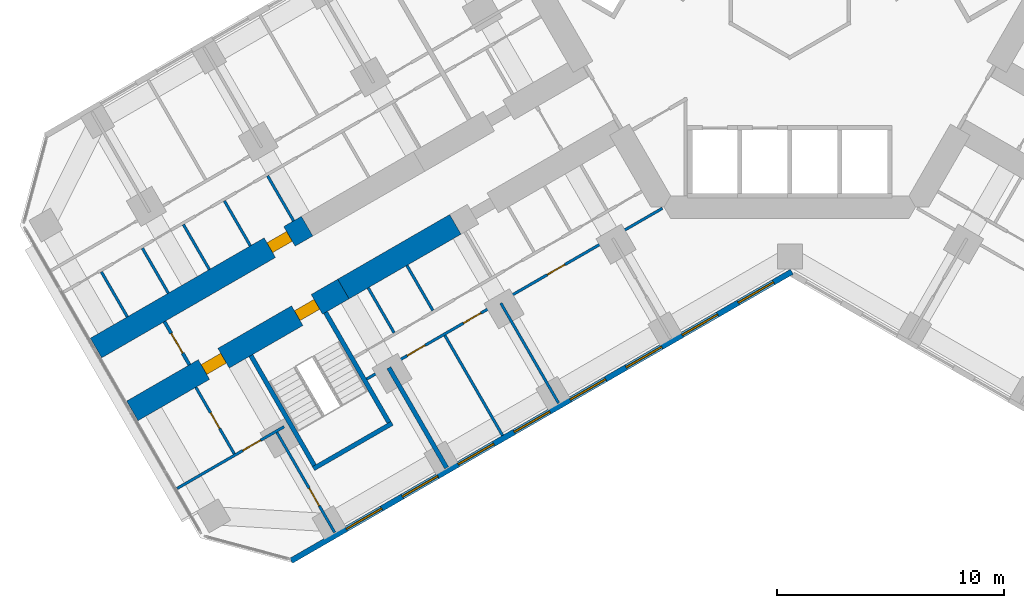
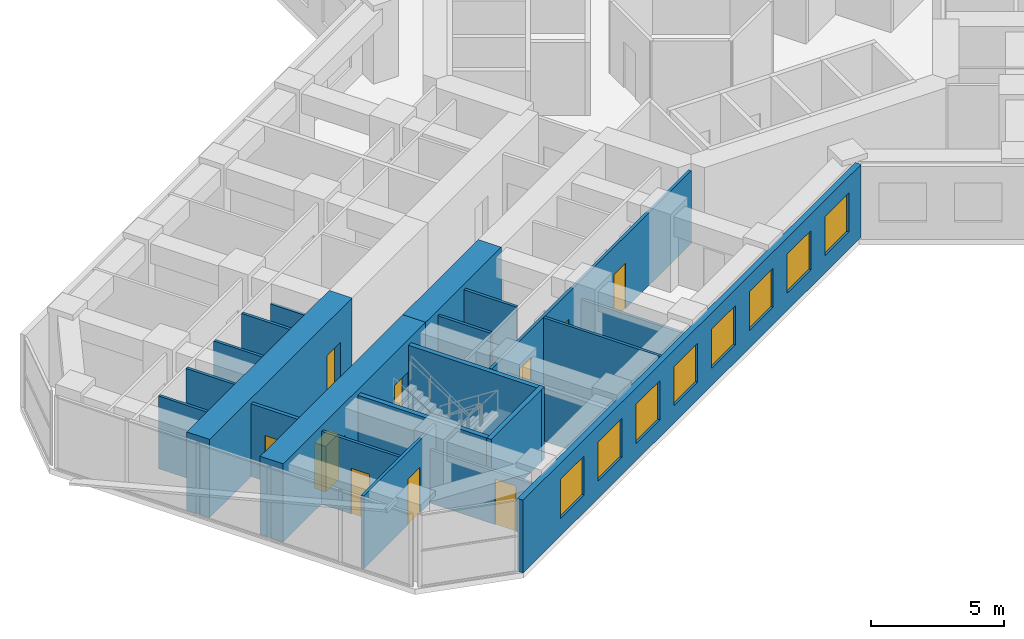
# One storey, part 10 of 21: 22 walls, 10 doors, 8 windows, 18 openings.
"""IFC4 building model written with IfcOpenShell, lengths in metres."""

from ifc_helpers import new_model, si_unit, direction, frame, frame_2d, origin, place, context, subcontext, project, spatial, rectangle, extrude, material, layer, layer_set, type_object, element, fill, save


model = new_model("IFC4")

# Units and contexts
model_context = context("Model", 3, precision=1e-05, world=origin(), true_north=direction((0.0, 1.0)))
body_context = subcontext(model_context, "Body", "Model", "MODEL_VIEW")
ifc_project = project(units=[si_unit("LENGTHUNIT", "METRE"), si_unit("AREAUNIT", "SQUARE_METRE"), si_unit("VOLUMEUNIT", "CUBIC_METRE"), si_unit("PLANEANGLEUNIT", "RADIAN"), si_unit("MASSUNIT", "GRAM", prefix="KILO")], contexts=[model_context])

# Site, building, storey
site_placement = place(None, origin())
site = spatial("IfcSite", under=ifc_project, at=site_placement, CompositionType="ELEMENT")
building_placement = place(site_placement, origin())
building = spatial("IfcBuilding", under=site, at=building_placement, Name="Kosmar Iwan School Tower", CompositionType="ELEMENT")
storey_placement = place(building_placement, frame((0.0, 0.0, 39.39990234375)))
storey = spatial("IfcBuildingStorey", under=building, at=storey_placement, Name="L08", CompositionType="ELEMENT", Elevation=39.39990234375)

# Wall
ifc_material_1 = material(Name="Concrete C50/60", Category="concrete")
ifc_layer_1 = layer(ifc_material_1, 1.0)
ifc_layer_set_1 = layer_set([ifc_layer_1], Name="Corridor buttress wall 1000")
wall_type_1 = type_object("IfcWallType", Name="Corridor buttress wall 1000", PredefinedType="SHEAR", material=ifc_layer_set_1)
wall_1_placement = place(storey_placement, frame((-14.7451171875, -10.360595703125, 0.0), z_axis=(0.0, 0.0, 1.0), x_axis=(-0.866015111908, -0.50001782563, 0.0)))
element("IfcWall", 1, at=wall_1_placement, inside=storey, type_object=wall_type_1, Name="Corridor wall BL bay 2", PredefinedType="SHEAR", context=body_context, shape_type="SweptSolid", body=[
    extrude(rectangle(XDim=5.699951171875, YDim=1.0, at=frame_2d((2.85009765625, 0.0))), origin(), (0.0, 0.0, 1.0), 3.60009765625),
])

# Wall, openings, doors
wall_2_placement = place(storey_placement, frame((-19.681396484375, -13.210693359375, 0.0), z_axis=(0.0, 0.0, 1.0), x_axis=(-0.866028186671, -0.499995179869, 0.0)))
wall_2 = element("IfcWall", 2, at=wall_2_placement, inside=storey, type_object=wall_type_1, Name="Corridor wall BL bay 3", PredefinedType="SHEAR", context=body_context, shape_type="SweptSolid", body=[
    extrude(rectangle(XDim=10.7451171875, YDim=1.0, at=frame_2d((5.37255859375, 0.0))), origin(), (0.0, 0.0, 1.0), 3.60009765625),
])
opening_1_placement = place(wall_2_placement, frame((6.10009765625, 0.0, 0.0)))
opening_1 = element("IfcOpeningElement", 3, at=opening_1_placement, cuts=wall_2, Name="Opening D1", PredefinedType="OPENING", context=body_context, shape_type="SweptSolid", body=[
    extrude(rectangle(XDim=1.0, YDim=2.10009765625, at=frame_2d((0.5, 1.050048828125))), frame((0.0, 0.511962890625, 0.0), z_axis=(0.0, -1.0, 0.0), x_axis=(1.0, 0.0, 0.0)), (0.0, 0.0, 1.0), 1.02392578125),
])
opening_2_placement = place(wall_2_placement, frame((1.35009765625, 0.0, 0.0)))
opening_2 = element("IfcOpeningElement", 4, at=opening_2_placement, cuts=wall_2, Name="Opening D6", PredefinedType="OPENING", context=body_context, shape_type="SweptSolid", body=[
    extrude(rectangle(XDim=1.0, YDim=2.10009765625, at=frame_2d((0.5, 1.050048828125))), frame((0.0, 0.511962890625, 0.0), z_axis=(0.0, -1.0, 0.0), x_axis=(1.0, 0.0, 0.0)), (0.0, 0.0, 1.0), 1.02392578125),
])
ifc_material_2 = material(Name="Timber fire door in steel frame", Category="steel")
door_type_1 = type_object("IfcDoorType", Name="Flat entrance door 1000x2100", OperationType="SINGLE_SWING_LEFT", PredefinedType="DOOR", material=ifc_material_2)
door_1_placement = place(opening_1_placement, origin())
door_1 = element("IfcDoor", 5, at=door_1_placement, inside=storey, type_object=door_type_1, Name="Flat L08-BL2 entrance door", OperationType="SINGLE_SWING_RIGHT", OverallHeight=2.10009765625, OverallWidth=1.0, PredefinedType="DOOR", context=body_context, shape_type="SweptSolid", body=[
    extrude(rectangle(XDim=1.0, YDim=2.10009765625, at=frame_2d((0.5, 1.050048828125))), frame((0.0, 0.25, 0.0), z_axis=(0.0, -1.0, 0.0), x_axis=(1.0, 0.0, 0.0)), (0.0, 0.0, 1.0), 0.5),
])
fill(opening_1, door_1)
ifc_material_3 = material(Name="Steel fire door", Category="steel")
door_type_2 = type_object("IfcDoorType", Name="Stair door 1000x2100", OperationType="SINGLE_SWING_LEFT", PredefinedType="DOOR", material=ifc_material_3)
door_2_placement = place(opening_2_placement, origin())
door_2 = element("IfcDoor", 6, at=door_2_placement, inside=storey, type_object=door_type_2, Name="Stair WS2 door L08", OperationType="SINGLE_SWING_LEFT", OverallHeight=2.10009765625, OverallWidth=1.0, PredefinedType="DOOR", context=body_context, shape_type="SweptSolid", body=[
    extrude(rectangle(XDim=1.0, YDim=2.10009765625, at=frame_2d((0.5, 1.050048828125))), frame((0.0, 0.25, 0.0), z_axis=(0.0, -1.0, 0.0), x_axis=(1.0, 0.0, 0.0)), (0.0, 0.0, 1.0), 0.5),
])
fill(opening_2, door_2)

# Wall, opening, door
wall_3_placement = place(storey_placement, frame((-21.281494140625, -10.439453125, 0.0), z_axis=(0.0, 0.0, 1.0), x_axis=(-0.866032345022, -0.499987977232, 0.0)))
wall_3 = element("IfcWall", 7, at=wall_3_placement, inside=storey, type_object=wall_type_1, Name="Corridor wall BR bay 3", PredefinedType="SHEAR", context=body_context, shape_type="SweptSolid", body=[
    extrude(rectangle(XDim=10.744873046875, YDim=1.0, at=frame_2d((5.37255859375, 0.0))), origin(), (0.0, 0.0, 1.0), 3.60009765625),
])
opening_3_placement = place(wall_3_placement, frame((0.89990234375, 0.0, 0.0)))
opening_3 = element("IfcOpeningElement", 8, at=opening_3_placement, cuts=wall_3, Name="Opening D1", PredefinedType="OPENING", context=body_context, shape_type="SweptSolid", body=[
    extrude(rectangle(XDim=1.0, YDim=2.10009765625, at=frame_2d((0.5, 1.050048828125))), frame((0.0, 0.511962890625, 0.0), z_axis=(0.0, -1.0, 0.0), x_axis=(1.0, 0.0, 0.0)), (0.0, 0.0, 1.0), 1.02392578125),
])
door_3_placement = place(opening_3_placement, origin())
door_3 = element("IfcDoor", 9, at=door_3_placement, inside=storey, type_object=door_type_1, Name="Flat L08-BR2 entrance door", OperationType="SINGLE_SWING_LEFT", OverallHeight=2.10009765625, OverallWidth=1.0, PredefinedType="DOOR", context=body_context, shape_type="SweptSolid", body=[
    extrude(rectangle(XDim=1.0, YDim=2.10009765625, at=frame_2d((0.5, 1.050048828125))), frame((0.0, 0.25, 0.0), z_axis=(0.0, -1.0, 0.0), x_axis=(1.0, 0.0, 0.0)), (0.0, 0.0, 1.0), 0.5),
])
fill(opening_3, door_3)

ifc_material_4 = material(Name="Gypsum board on steel studs, fire-rated", Category="steel")
ifc_layer_2 = layer(ifc_material_4, 0.14990234375)
ifc_layer_set_2 = layer_set([ifc_layer_2], Name="Corridor end wall 150")
wall_type_2 = type_object("IfcWallType", Name="Corridor end wall 150", PredefinedType="PARTITIONING", material=ifc_layer_set_2)
wall_4_placement = place(storey_placement, frame((-27.570068359375, -14.6474609375, 0.0), z_axis=(0.0, 0.0, 1.0), x_axis=(0.50002983664, -0.866008176907, 0.0)))
wall_4 = element("IfcWall", 10, at=wall_4_placement, inside=storey, type_object=wall_type_2, Name="Partition L08-B-CE", PredefinedType="PARTITIONING", context=body_context, shape_type="SweptSolid", body=[
    extrude(rectangle(XDim=2.199951171875, YDim=0.14990234375, at=frame_2d((1.10009765625, 0.0))), origin(), (0.0, 0.0, 1.0), 3.35009765625),
])
opening_4_placement = place(wall_4_placement, frame((0.60009765625, 0.0, 0.0)))
opening_4 = element("IfcOpeningElement", 11, at=opening_4_placement, cuts=wall_4, Name="Opening D13", PredefinedType="OPENING", context=body_context, shape_type="SweptSolid", body=[
    extrude(rectangle(XDim=1.0, YDim=2.10009765625, at=frame_2d((0.5, 1.050048828125))), frame((0.0, 0.0869140625, 0.0), z_axis=(0.0, -1.0, 0.0), x_axis=(1.0, 0.0, 0.0)), (0.0, 0.0, 1.0), 0.173828125),
])
ifc_material_5 = material(Name="Timber fire door with vision panel", Category="wood")
door_type_3 = type_object("IfcDoorType", Name="Corridor end door 1000x2100", OperationType="SINGLE_SWING_LEFT", PredefinedType="DOOR", material=ifc_material_5)
door_4_placement = place(opening_4_placement, origin())
door_4 = element("IfcDoor", 12, at=door_4_placement, inside=storey, type_object=door_type_3, Name="Children's play room door L08-B", OperationType="SINGLE_SWING_LEFT", OverallHeight=2.10009765625, OverallWidth=1.0, PredefinedType="DOOR", context=body_context, shape_type="SweptSolid", body=[
    extrude(rectangle(XDim=1.0, YDim=2.10009765625, at=frame_2d((0.5, 1.050048828125))), frame((0.0, 0.02490234375, 0.0), z_axis=(0.0, -1.0, 0.0), x_axis=(1.0, 0.0, 0.0)), (0.0, 0.0, 1.0), 0.050048828125),
])
fill(opening_4, door_4)

# Wall, openings, doors
ifc_material_6 = material(Name="Gypsum board on steel studs", Category="steel")
ifc_layer_3 = layer(ifc_material_6, 0.1201171875)
ifc_layer_set_3 = layer_set([ifc_layer_3], Name="Dwelling partition 120")
wall_type_3 = type_object("IfcWallType", Name="Dwelling partition 120", PredefinedType="PARTITIONING", material=ifc_layer_set_3)
wall_5_placement = place(storey_placement, frame((-5.61767578125, -9.65185546875, 0.0), z_axis=(0.0, 0.0, 1.0), x_axis=(-0.866024678464, -0.50000125629, 0.0)))
wall_5 = element("IfcWall", 13, at=wall_5_placement, inside=storey, type_object=wall_type_3, Name="Partition L08-BL1-W2", PredefinedType="PARTITIONING", context=body_context, shape_type="SweptSolid", body=[
    extrude(rectangle(XDim=15.05908203125, YDim=0.1201171875, at=frame_2d((7.529541015625, 0.0))), origin(), (0.0, 0.0, 1.0), 3.35009765625),
])
opening_5_placement = place(wall_5_placement, frame((4.958984375, 0.0, 0.0)))
opening_5 = element("IfcOpeningElement", 14, at=opening_5_placement, cuts=wall_5, Name="Opening D2", PredefinedType="OPENING", context=body_context, shape_type="SweptSolid", body=[
    extrude(rectangle(XDim=0.89990234375, YDim=2.10009765625, at=frame_2d((0.449951171875, 1.050048828125))), frame((0.0, 0.072021484375, 0.0), z_axis=(0.0, -1.0, 0.0), x_axis=(1.0, 0.0, 0.0)), (0.0, 0.0, 1.0), 0.14404296875),
])
opening_6_placement = place(wall_5_placement, frame((9.23388671875, 0.0, 0.0)))
opening_6 = element("IfcOpeningElement", 15, at=opening_6_placement, cuts=wall_5, Name="Opening D2", PredefinedType="OPENING", context=body_context, shape_type="SweptSolid", body=[
    extrude(rectangle(XDim=0.89990234375, YDim=2.10009765625, at=frame_2d((0.449951171875, 1.050048828125))), frame((0.0, 0.072021484375, 0.0), z_axis=(0.0, -1.0, 0.0), x_axis=(1.0, 0.0, 0.0)), (0.0, 0.0, 1.0), 0.14404296875),
])
opening_7_placement = place(wall_5_placement, frame((12.083984375, 0.0, 0.0)))
opening_7 = element("IfcOpeningElement", 16, at=opening_7_placement, cuts=wall_5, Name="Opening D2", PredefinedType="OPENING", context=body_context, shape_type="SweptSolid", body=[
    extrude(rectangle(XDim=0.89990234375, YDim=2.10009765625, at=frame_2d((0.449951171875, 1.050048828125))), frame((0.0, 0.072021484375, 0.0), z_axis=(0.0, -1.0, 0.0), x_axis=(1.0, 0.0, 0.0)), (0.0, 0.0, 1.0), 0.14404296875),
])
ifc_material_7 = material(Name="Timber door in timber frame", Category="wood")
door_type_4 = type_object("IfcDoorType", Name="Internal door 900x2100", OperationType="SINGLE_SWING_LEFT", PredefinedType="DOOR", material=ifc_material_7)
door_5_placement = place(opening_5_placement, origin())
door_5 = element("IfcDoor", 17, at=door_5_placement, inside=storey, type_object=door_type_4, Name="Living room door L08-BL1-F2", OperationType="SINGLE_SWING_LEFT", OverallHeight=2.10009765625, OverallWidth=0.89990234375, PredefinedType="DOOR", context=body_context, shape_type="SweptSolid", body=[
    extrude(rectangle(XDim=0.89990234375, YDim=2.10009765625, at=frame_2d((0.449951171875, 1.050048828125))), frame((0.0, 0.02490234375, 0.0), z_axis=(0.0, -1.0, 0.0), x_axis=(1.0, 0.0, 0.0)), (0.0, 0.0, 1.0), 0.050048828125),
])
fill(opening_5, door_5)
door_6_placement = place(opening_6_placement, origin())
door_6 = element("IfcDoor", 18, at=door_6_placement, inside=storey, type_object=door_type_4, Name="Bedroom 1 door L08-BL1-F3", OperationType="SINGLE_SWING_RIGHT", OverallHeight=2.10009765625, OverallWidth=0.89990234375, PredefinedType="DOOR", context=body_context, shape_type="SweptSolid", body=[
    extrude(rectangle(XDim=0.89990234375, YDim=2.10009765625, at=frame_2d((0.449951171875, 1.050048828125))), frame((0.0, 0.02490234375, 0.0), z_axis=(0.0, -1.0, 0.0), x_axis=(1.0, 0.0, 0.0)), (0.0, 0.0, 1.0), 0.050048828125),
])
fill(opening_6, door_6)
door_7_placement = place(opening_7_placement, origin())
door_7 = element("IfcDoor", 19, at=door_7_placement, inside=storey, type_object=door_type_4, Name="Study door L08-BL1-F4", OperationType="SINGLE_SWING_LEFT", OverallHeight=2.10009765625, OverallWidth=0.89990234375, PredefinedType="DOOR", context=body_context, shape_type="SweptSolid", body=[
    extrude(rectangle(XDim=0.89990234375, YDim=2.10009765625, at=frame_2d((0.449951171875, 1.050048828125))), frame((0.0, 0.02490234375, 0.0), z_axis=(0.0, -1.0, 0.0), x_axis=(1.0, 0.0, 0.0)), (0.0, 0.0, 1.0), 0.050048828125),
])
fill(opening_7, door_7)

# Walls
wall_6_placement = place(storey_placement, frame((-12.740234375, -13.83349609375, 0.0), z_axis=(0.0, 0.0, 1.0), x_axis=(0.500033846865, -0.866005861406, 0.0)))
element("IfcWall", 20, at=wall_6_placement, inside=storey, type_object=wall_type_3, Name="Partition L08-BL1-X2", PredefinedType="PARTITIONING", context=body_context, shape_type="SweptSolid", body=[
    extrude(rectangle(XDim=5.090087890625, YDim=0.1201171875, at=frame_2d((2.544921875, 0.0))), origin(), (0.0, 0.0, 1.0), 2.4501953125),
])
wall_7_placement = place(storey_placement, frame((-15.208251953125, -15.25830078125, 0.0), z_axis=(0.0, 0.0, 1.0), x_axis=(0.499977104415, -0.866038622153, 0.0)))
element("IfcWall", 21, at=wall_7_placement, inside=storey, type_object=wall_type_3, Name="Partition L08-BL1-X3", PredefinedType="PARTITIONING", context=body_context, shape_type="SweptSolid", body=[
    extrude(rectangle(XDim=5.090087890625, YDim=0.1201171875, at=frame_2d((2.544921875, 0.0))), origin(), (0.0, 0.0, 1.0), 3.35009765625),
])
wall_8_placement = place(storey_placement, frame((-16.8828125, -12.172119140625, 0.0), z_axis=(0.0, 0.0, 1.0), x_axis=(0.499968531483, -0.866043571379, 0.0)))
element("IfcWall", 22, at=wall_8_placement, inside=storey, type_object=wall_type_3, Name="Partition L08-BL1-Y5", PredefinedType="PARTITIONING", context=body_context, shape_type="SweptSolid", body=[
    extrude(rectangle(XDim=2.290283203125, YDim=0.1201171875, at=frame_2d((1.14501953125, 0.0))), origin(), (0.0, 0.0, 1.0), 3.35009765625),
])
wall_9_placement = place(storey_placement, frame((-18.59033203125, -13.157958984375, 0.0), z_axis=(0.0, 0.0, 1.0), x_axis=(0.500014693593, -0.866016920268, 0.0)))
element("IfcWall", 23, at=wall_9_placement, inside=storey, type_object=wall_type_3, Name="Partition L08-BL1-Y6", PredefinedType="PARTITIONING", context=body_context, shape_type="SweptSolid", body=[
    extrude(rectangle(XDim=2.2900390625, YDim=0.1201171875, at=frame_2d((1.14501953125, 0.0))), origin(), (0.0, 0.0, 1.0), 3.35009765625),
])

# Wall, opening, door
wall_10_placement = place(storey_placement, frame((-22.61279296875, -19.533447265625, 0.0), z_axis=(0.0, 0.0, 1.0), x_axis=(0.499997873537, -0.866026631495, 0.0)))
wall_10 = element("IfcWall", 24, at=wall_10_placement, inside=storey, type_object=wall_type_3, Name="Partition L08-BL2-TX", PredefinedType="PARTITIONING", context=body_context, shape_type="SweptSolid", body=[
    extrude(rectangle(XDim=5.08984375, YDim=0.1201171875, at=frame_2d((2.544921875, 0.0))), origin(), (0.0, 0.0, 1.0), 2.4501953125),
])
opening_8_placement = place(wall_10_placement, frame((2.840087890625, 0.0, 0.0)))
opening_8 = element("IfcOpeningElement", 25, at=opening_8_placement, cuts=wall_10, Name="Opening D2", PredefinedType="OPENING", context=body_context, shape_type="SweptSolid", body=[
    extrude(rectangle(XDim=0.89990234375, YDim=2.10009765625, at=frame_2d((0.449951171875, 1.050048828125))), frame((0.0, 0.072021484375, 0.0), z_axis=(0.0, -1.0, 0.0), x_axis=(1.0, 0.0, 0.0)), (0.0, 0.0, 1.0), 0.14404296875),
])
door_8_placement = place(opening_8_placement, origin())
door_8 = element("IfcDoor", 26, at=door_8_placement, inside=storey, type_object=door_type_4, Name="Bedroom 1 door L08-BL2-T1", OperationType="SINGLE_SWING_RIGHT", OverallHeight=2.10009765625, OverallWidth=0.89990234375, PredefinedType="DOOR", context=body_context, shape_type="SweptSolid", body=[
    extrude(rectangle(XDim=0.89990234375, YDim=2.10009765625, at=frame_2d((0.449951171875, 1.050048828125))), frame((0.0, 0.02490234375, 0.0), z_axis=(0.0, -1.0, 0.0), x_axis=(1.0, 0.0, 0.0)), (0.0, 0.0, 1.0), 0.050048828125),
])
fill(opening_8, door_8)

wall_11_placement = place(storey_placement, frame((-22.29638671875, -19.281494140625, 0.0), z_axis=(0.0, 0.0, 1.0), x_axis=(-0.866035508231, -0.499982498177, 0.0)))
wall_11 = element("IfcWall", 27, at=wall_11_placement, inside=storey, type_object=wall_type_3, Name="Partition L08-BL2-TW", PredefinedType="PARTITIONING", context=body_context, shape_type="SweptSolid", body=[
    extrude(rectangle(XDim=5.445068359375, YDim=0.1201171875, at=frame_2d((2.72265625, 0.0))), origin(), (0.0, 0.0, 1.0), 3.35009765625),
])
opening_9_placement = place(wall_11_placement, frame((1.199951171875, 0.0, 0.0)))
opening_9 = element("IfcOpeningElement", 28, at=opening_9_placement, cuts=wall_11, Name="Opening D2", PredefinedType="OPENING", context=body_context, shape_type="SweptSolid", body=[
    extrude(rectangle(XDim=0.89990234375, YDim=2.10009765625, at=frame_2d((0.449951171875, 1.050048828125))), frame((0.0, 0.072021484375, 0.0), z_axis=(0.0, -1.0, 0.0), x_axis=(1.0, 0.0, 0.0)), (0.0, 0.0, 1.0), 0.14404296875),
])
door_9_placement = place(opening_9_placement, origin())
door_9 = element("IfcDoor", 29, at=door_9_placement, inside=storey, type_object=door_type_4, Name="Entrance hall door L08-BL2-T3", OperationType="SINGLE_SWING_LEFT", OverallHeight=2.10009765625, OverallWidth=0.89990234375, PredefinedType="DOOR", context=body_context, shape_type="SweptSolid", body=[
    extrude(rectangle(XDim=0.89990234375, YDim=2.10009765625, at=frame_2d((0.449951171875, 1.050048828125))), frame((0.0, 0.02490234375, 0.0), z_axis=(0.0, -1.0, 0.0), x_axis=(1.0, 0.0, 0.0)), (0.0, 0.0, 1.0), 0.050048828125),
])
fill(opening_9, door_9)

wall_12_placement = place(storey_placement, frame((-26.1865234375, -17.543701171875, 0.0), z_axis=(0.0, 0.0, 1.0), x_axis=(0.500019607421, -0.866014083139, 0.0)))
wall_12 = element("IfcWall", 30, at=wall_12_placement, inside=storey, type_object=wall_type_3, Name="Partition L08-BL2-TY", PredefinedType="PARTITIONING", context=body_context, shape_type="SweptSolid", body=[
    extrude(rectangle(XDim=3.389892578125, YDim=0.1201171875, at=frame_2d((1.69482421875, 0.0))), origin(), (0.0, 0.0, 1.0), 3.35009765625),
])
opening_10_placement = place(wall_12_placement, frame((1.294921875, 0.0, 0.0)))
opening_10 = element("IfcOpeningElement", 31, at=opening_10_placement, cuts=wall_12, Name="Opening D3", PredefinedType="OPENING", context=body_context, shape_type="SweptSolid", body=[
    extrude(rectangle(XDim=0.800048828125, YDim=2.10009765625, at=frame_2d((0.39990234375, 1.050048828125))), frame((0.0, 0.072021484375, 0.0), z_axis=(0.0, -1.0, 0.0), x_axis=(1.0, 0.0, 0.0)), (0.0, 0.0, 1.0), 0.14404296875),
])
ifc_material_8 = material(Name="Timber door in timber frame", Category="wood")
door_type_5 = type_object("IfcDoorType", Name="Sanitary room door 800x2100", OperationType="SINGLE_SWING_LEFT", PredefinedType="DOOR", material=ifc_material_8)
door_10_placement = place(opening_10_placement, origin())
door_10 = element("IfcDoor", 32, at=door_10_placement, inside=storey, type_object=door_type_5, Name="Bathroom door L08-BL2-T4", OperationType="SINGLE_SWING_LEFT", OverallHeight=2.10009765625, OverallWidth=0.800048828125, PredefinedType="DOOR", context=body_context, shape_type="SweptSolid", body=[
    extrude(rectangle(XDim=0.800048828125, YDim=2.10009765625, at=frame_2d((0.39990234375, 1.050048828125))), frame((0.0, 0.02490234375, 0.0), z_axis=(0.0, -1.0, 0.0), x_axis=(1.0, 0.0, 0.0)), (0.0, 0.0, 1.0), 0.050048828125),
])
fill(opening_10, door_10)

# Walls
wall_13_placement = place(storey_placement, frame((-21.8779296875, -10.206298828125, 0.0), z_axis=(0.0, 0.0, 1.0), x_axis=(-0.500014693593, 0.866016920268, 0.0)))
element("IfcWall", 33, at=wall_13_placement, inside=storey, type_object=wall_type_3, Name="Partition L08-BR2-Y3", PredefinedType="PARTITIONING", context=body_context, shape_type="SweptSolid", body=[
    extrude(rectangle(XDim=2.2900390625, YDim=0.1201171875, at=frame_2d((1.14501953125, 0.0))), origin(), (0.0, 0.0, 1.0), 2.4501953125),
])
for number, where, z_axis, x_axis, name in (
    (34, (-23.783203125, -11.306396484375, 0.0), (0.0, 0.0, 1.0), (-0.500014693593, 0.866016920268, 0.0), "Partition L08-BR2-Y4"),
    (35, (-25.591064453125, -12.35009765625, 0.0), (0.0, 0.0, 1.0), (-0.500014693593, 0.866016920268, 0.0), "Partition L08-BR2-Y5"),
    (36, (-27.39892578125, -13.393798828125, 0.0), (0.0, 0.0, 1.0), (-0.500014693593, 0.866016920268, 0.0), "Partition L08-BR2-Y6"),
    (37, (-29.20654296875, -14.4375, 0.0), (0.0, 0.0, 1.0), (-0.500014693593, 0.866016920268, 0.0), "Partition L08-BR2-Y7"),
):
    element("IfcWall", number, at=place(storey_placement, frame(where, z_axis=z_axis, x_axis=x_axis)), inside=storey, type_object=wall_type_3, Name=name, PredefinedType="PARTITIONING", context=body_context, shape_type="SweptSolid", body=[
        extrude(rectangle(XDim=2.2900390625, YDim=0.1201171875, at=frame_2d((1.14501953125, 0.0))), origin(), (0.0, 0.0, 1.0), 3.35009765625),
    ])
ifc_material_9 = material(Name="Concrete C35/45", Category="concrete")
ifc_layer_4 = layer(ifc_material_9, 0.199951171875)
ifc_layer_set_4 = layer_set([ifc_layer_4], Name="Escape stair wall 200")
wall_type_4 = type_object("IfcWallType", Name="Escape stair wall 200", PredefinedType="SHEAR", material=ifc_layer_set_4)
for number, where, z_axis, x_axis, name in (
    (38, (-20.470703125, -14.24365234375, 0.0), (0.0, 0.0, 1.0), (0.499987231761, -0.866032775405, 0.0), "Stair WS2 wall"),
    (39, (-23.76171875, -16.1435546875, 0.0), (0.0, 0.0, 1.0), (0.500018801468, -0.86601454848, 0.0), "Stair WS2 wall"),
):
    element("IfcWall", number, at=place(storey_placement, frame(where, z_axis=z_axis, x_axis=x_axis)), inside=storey, type_object=wall_type_4, Name=name, PredefinedType="SHEAR", context=body_context, shape_type="SweptSolid", body=[
        extrude(rectangle(XDim=5.800048828125, YDim=0.199951171875, at=frame_2d((2.89990234375, 0.0))), origin(), (0.0, 0.0, 1.0), 3.330078125),
    ])
wall_14_placement = place(storey_placement, frame((-17.5341796875, -19.1298828125, 0.0), z_axis=(0.0, 0.0, 1.0), x_axis=(-0.866026010844, -0.49999894854, 0.0)))
element("IfcWall", 40, at=wall_14_placement, inside=storey, type_object=wall_type_4, Name="Stair WS2 wall", PredefinedType="SHEAR", context=body_context, shape_type="SweptSolid", body=[
    extrude(rectangle(XDim=4.0, YDim=0.199951171875, at=frame_2d((2.0, 0.0))), origin(), (0.0, 0.0, 1.0), 3.330078125),
])

# Wall, openings, windows
ifc_material_10 = material(Name="Black aluminium rainscreen on insulated framing", Category="aluminium")
ifc_layer_5 = layer(ifc_material_10, 0.25)
ifc_layer_set_5 = layer_set([ifc_layer_5], Name="External wall rainscreen 250")
wall_type_5 = type_object("IfcWallType", Name="External wall rainscreen 250", PredefinedType="SOLIDWALL", material=ifc_layer_set_5)
wall_15_placement = place(storey_placement, frame((0.088134765625, -12.44873046875, 0.0), z_axis=(0.0, 0.0, 1.0), x_axis=(-0.866026390279, -0.499998291337, 0.0)))
wall_15 = element("IfcWall", 41, at=wall_15_placement, inside=storey, type_object=wall_type_5, Name="External wall BL L08", PredefinedType="SOLIDWALL", context=body_context, shape_type="SweptSolid", body=[
    extrude(rectangle(XDim=25.4873046875, YDim=0.25, at=frame_2d((12.74365234375, 0.0))), origin(), (0.0, 0.0, 1.0), 3.35009765625),
])
opening_11_placement = place(wall_15_placement, frame((0.927001953125, 0.0, 0.800048828125)))
opening_11 = element("IfcOpeningElement", 42, at=opening_11_placement, cuts=wall_15, Name="Opening W1", PredefinedType="OPENING", context=body_context, shape_type="SweptSolid", body=[
    extrude(rectangle(XDim=1.800048828125, YDim=1.800048828125, at=frame_2d((0.89990234375, 0.89990234375))), frame((0.0, 0.136962890625, 0.0), z_axis=(0.0, -1.0, 0.0), x_axis=(1.0, 0.0, 0.0)), (0.0, 0.0, 1.0), 0.27392578125),
])
opening_12_placement = place(wall_15_placement, frame((3.777099609375, 0.0, 0.800048828125)))
opening_12 = element("IfcOpeningElement", 43, at=opening_12_placement, cuts=wall_15, Name="Opening W1", PredefinedType="OPENING", context=body_context, shape_type="SweptSolid", body=[
    extrude(rectangle(XDim=1.800048828125, YDim=1.800048828125, at=frame_2d((0.89990234375, 0.89990234375))), frame((0.0, 0.136962890625, 0.0), z_axis=(0.0, -1.0, 0.0), x_axis=(1.0, 0.0, 0.0)), (0.0, 0.0, 1.0), 0.27392578125),
])
opening_13_placement = place(wall_15_placement, frame((6.626953125, 0.0, 0.800048828125)))
opening_13 = element("IfcOpeningElement", 44, at=opening_13_placement, cuts=wall_15, Name="Opening W1", PredefinedType="OPENING", context=body_context, shape_type="SweptSolid", body=[
    extrude(rectangle(XDim=1.800048828125, YDim=1.800048828125, at=frame_2d((0.89990234375, 0.89990234375))), frame((0.0, 0.136962890625, 0.0), z_axis=(0.0, -1.0, 0.0), x_axis=(1.0, 0.0, 0.0)), (0.0, 0.0, 1.0), 0.27392578125),
])
opening_14_placement = place(wall_15_placement, frame((9.47705078125, 0.0, 0.800048828125)))
opening_14 = element("IfcOpeningElement", 45, at=opening_14_placement, cuts=wall_15, Name="Opening W1", PredefinedType="OPENING", context=body_context, shape_type="SweptSolid", body=[
    extrude(rectangle(XDim=1.800048828125, YDim=1.800048828125, at=frame_2d((0.89990234375, 0.89990234375))), frame((0.0, 0.136962890625, 0.0), z_axis=(0.0, -1.0, 0.0), x_axis=(1.0, 0.0, 0.0)), (0.0, 0.0, 1.0), 0.27392578125),
])
opening_15_placement = place(wall_15_placement, frame((12.326904296875, 0.0, 0.800048828125)))
opening_15 = element("IfcOpeningElement", 46, at=opening_15_placement, cuts=wall_15, Name="Opening W1", PredefinedType="OPENING", context=body_context, shape_type="SweptSolid", body=[
    extrude(rectangle(XDim=1.800048828125, YDim=1.800048828125, at=frame_2d((0.89990234375, 0.89990234375))), frame((0.0, 0.136962890625, 0.0), z_axis=(0.0, -1.0, 0.0), x_axis=(1.0, 0.0, 0.0)), (0.0, 0.0, 1.0), 0.27392578125),
])
opening_16_placement = place(wall_15_placement, frame((15.177001953125, 0.0, 0.800048828125)))
opening_16 = element("IfcOpeningElement", 47, at=opening_16_placement, cuts=wall_15, Name="Opening W1", PredefinedType="OPENING", context=body_context, shape_type="SweptSolid", body=[
    extrude(rectangle(XDim=1.800048828125, YDim=1.800048828125, at=frame_2d((0.89990234375, 0.89990234375))), frame((0.0, 0.136962890625, 0.0), z_axis=(0.0, -1.0, 0.0), x_axis=(1.0, 0.0, 0.0)), (0.0, 0.0, 1.0), 0.27392578125),
])
opening_17_placement = place(wall_15_placement, frame((18.027099609375, 0.0, 0.800048828125)))
opening_17 = element("IfcOpeningElement", 48, at=opening_17_placement, cuts=wall_15, Name="Opening W1", PredefinedType="OPENING", context=body_context, shape_type="SweptSolid", body=[
    extrude(rectangle(XDim=1.800048828125, YDim=1.800048828125, at=frame_2d((0.89990234375, 0.89990234375))), frame((0.0, 0.136962890625, 0.0), z_axis=(0.0, -1.0, 0.0), x_axis=(1.0, 0.0, 0.0)), (0.0, 0.0, 1.0), 0.27392578125),
])
opening_18_placement = place(wall_15_placement, frame((20.876953125, 0.0, 0.800048828125)))
opening_18 = element("IfcOpeningElement", 49, at=opening_18_placement, cuts=wall_15, Name="Opening W1", PredefinedType="OPENING", context=body_context, shape_type="SweptSolid", body=[
    extrude(rectangle(XDim=1.800048828125, YDim=1.800048828125, at=frame_2d((0.89990234375, 0.89990234375))), frame((0.0, 0.136962890625, 0.0), z_axis=(0.0, -1.0, 0.0), x_axis=(1.0, 0.0, 0.0)), (0.0, 0.0, 1.0), 0.27392578125),
])
ifc_material_11 = material(Name="Black aluminium frame with dark triple glazing", Category="aluminium")
window_type = type_object("IfcWindowType", Name="Window 1800x1800", PartitioningType="SINGLE_PANEL", PredefinedType="WINDOW", material=ifc_material_11)
window_1_placement = place(opening_11_placement, origin())
window_1 = element("IfcWindow", 50, at=window_1_placement, inside=storey, type_object=window_type, Name="Window BL L08 -1", OverallHeight=1.800048828125, OverallWidth=1.800048828125, PartitioningType="SINGLE_PANEL", PredefinedType="WINDOW", context=body_context, shape_type="SweptSolid", body=[
    extrude(rectangle(XDim=1.800048828125, YDim=1.800048828125, at=frame_2d((0.89990234375, 0.89990234375))), frame((0.0, 0.030029296875, 0.0), z_axis=(0.0, -1.0, 0.0), x_axis=(1.0, 0.0, 0.0)), (0.0, 0.0, 1.0), 0.06005859375),
])
fill(opening_11, window_1)
window_2_placement = place(opening_12_placement, origin())
window_2 = element("IfcWindow", 51, at=window_2_placement, inside=storey, type_object=window_type, Name="Window BL L08 0", OverallHeight=1.800048828125, OverallWidth=1.800048828125, PartitioningType="SINGLE_PANEL", PredefinedType="WINDOW", context=body_context, shape_type="SweptSolid", body=[
    extrude(rectangle(XDim=1.800048828125, YDim=1.800048828125, at=frame_2d((0.89990234375, 0.89990234375))), frame((0.0, 0.030029296875, 0.0), z_axis=(0.0, -1.0, 0.0), x_axis=(1.0, 0.0, 0.0)), (0.0, 0.0, 1.0), 0.06005859375),
])
fill(opening_12, window_2)
window_3_placement = place(opening_13_placement, origin())
window_3 = element("IfcWindow", 52, at=window_3_placement, inside=storey, type_object=window_type, Name="Window BL L08 1", OverallHeight=1.800048828125, OverallWidth=1.800048828125, PartitioningType="SINGLE_PANEL", PredefinedType="WINDOW", context=body_context, shape_type="SweptSolid", body=[
    extrude(rectangle(XDim=1.800048828125, YDim=1.800048828125, at=frame_2d((0.89990234375, 0.89990234375))), frame((0.0, 0.030029296875, 0.0), z_axis=(0.0, -1.0, 0.0), x_axis=(1.0, 0.0, 0.0)), (0.0, 0.0, 1.0), 0.06005859375),
])
fill(opening_13, window_3)
window_4_placement = place(opening_14_placement, origin())
window_4 = element("IfcWindow", 53, at=window_4_placement, inside=storey, type_object=window_type, Name="Window BL L08 2", OverallHeight=1.800048828125, OverallWidth=1.800048828125, PartitioningType="SINGLE_PANEL", PredefinedType="WINDOW", context=body_context, shape_type="SweptSolid", body=[
    extrude(rectangle(XDim=1.800048828125, YDim=1.800048828125, at=frame_2d((0.89990234375, 0.89990234375))), frame((0.0, 0.030029296875, 0.0), z_axis=(0.0, -1.0, 0.0), x_axis=(1.0, 0.0, 0.0)), (0.0, 0.0, 1.0), 0.06005859375),
])
fill(opening_14, window_4)
window_5_placement = place(opening_15_placement, origin())
window_5 = element("IfcWindow", 54, at=window_5_placement, inside=storey, type_object=window_type, Name="Window BL L08 3", OverallHeight=1.800048828125, OverallWidth=1.800048828125, PartitioningType="SINGLE_PANEL", PredefinedType="WINDOW", context=body_context, shape_type="SweptSolid", body=[
    extrude(rectangle(XDim=1.800048828125, YDim=1.800048828125, at=frame_2d((0.89990234375, 0.89990234375))), frame((0.0, 0.030029296875, 0.0), z_axis=(0.0, -1.0, 0.0), x_axis=(1.0, 0.0, 0.0)), (0.0, 0.0, 1.0), 0.06005859375),
])
fill(opening_15, window_5)
window_6_placement = place(opening_16_placement, origin())
window_6 = element("IfcWindow", 55, at=window_6_placement, inside=storey, type_object=window_type, Name="Window BL L08 4", OverallHeight=1.800048828125, OverallWidth=1.800048828125, PartitioningType="SINGLE_PANEL", PredefinedType="WINDOW", context=body_context, shape_type="SweptSolid", body=[
    extrude(rectangle(XDim=1.800048828125, YDim=1.800048828125, at=frame_2d((0.89990234375, 0.89990234375))), frame((0.0, 0.030029296875, 0.0), z_axis=(0.0, -1.0, 0.0), x_axis=(1.0, 0.0, 0.0)), (0.0, 0.0, 1.0), 0.06005859375),
])
fill(opening_16, window_6)
window_7_placement = place(opening_17_placement, origin())
window_7 = element("IfcWindow", 56, at=window_7_placement, inside=storey, type_object=window_type, Name="Window BL L08 5", OverallHeight=1.800048828125, OverallWidth=1.800048828125, PartitioningType="SINGLE_PANEL", PredefinedType="WINDOW", context=body_context, shape_type="SweptSolid", body=[
    extrude(rectangle(XDim=1.800048828125, YDim=1.800048828125, at=frame_2d((0.89990234375, 0.89990234375))), frame((0.0, 0.030029296875, 0.0), z_axis=(0.0, -1.0, 0.0), x_axis=(1.0, 0.0, 0.0)), (0.0, 0.0, 1.0), 0.06005859375),
])
fill(opening_17, window_7)
window_8_placement = place(opening_18_placement, origin())
window_8 = element("IfcWindow", 57, at=window_8_placement, inside=storey, type_object=window_type, Name="Window BL L08 6", OverallHeight=1.800048828125, OverallWidth=1.800048828125, PartitioningType="SINGLE_PANEL", PredefinedType="WINDOW", context=body_context, shape_type="SweptSolid", body=[
    extrude(rectangle(XDim=1.800048828125, YDim=1.800048828125, at=frame_2d((0.89990234375, 0.89990234375))), frame((0.0, 0.030029296875, 0.0), z_axis=(0.0, -1.0, 0.0), x_axis=(1.0, 0.0, 0.0)), (0.0, 0.0, 1.0), 0.06005859375),
])
fill(opening_18, window_8)

# Wall
ifc_material_12 = material(Name="Concrete block masonry", Category="masonry")
ifc_layer_6 = layer(ifc_material_12, 0.199951171875)
ifc_layer_set_6 = layer_set([ifc_layer_6], Name="Party wall 200")
wall_type_6 = type_object("IfcWallType", Name="Party wall 200", PredefinedType="PARTITIONING", material=ifc_layer_set_6)
wall_16_placement = place(storey_placement, frame((-17.676513671875, -16.683349609375, 0.0), z_axis=(0.0, 0.0, 1.0), x_axis=(0.499977104415, -0.866038622153, 0.0)))
element("IfcWall", 58, at=wall_16_placement, inside=storey, type_object=wall_type_6, Name="Partition L08-BL2-TB", PredefinedType="PARTITIONING", context=body_context, shape_type="SweptSolid", body=[
    extrude(rectangle(XDim=5.090087890625, YDim=0.199951171875, at=frame_2d((2.544921875, 0.0))), origin(), (0.0, 0.0, 1.0), 2.4501953125),
])

save(model, "model.ifc")
